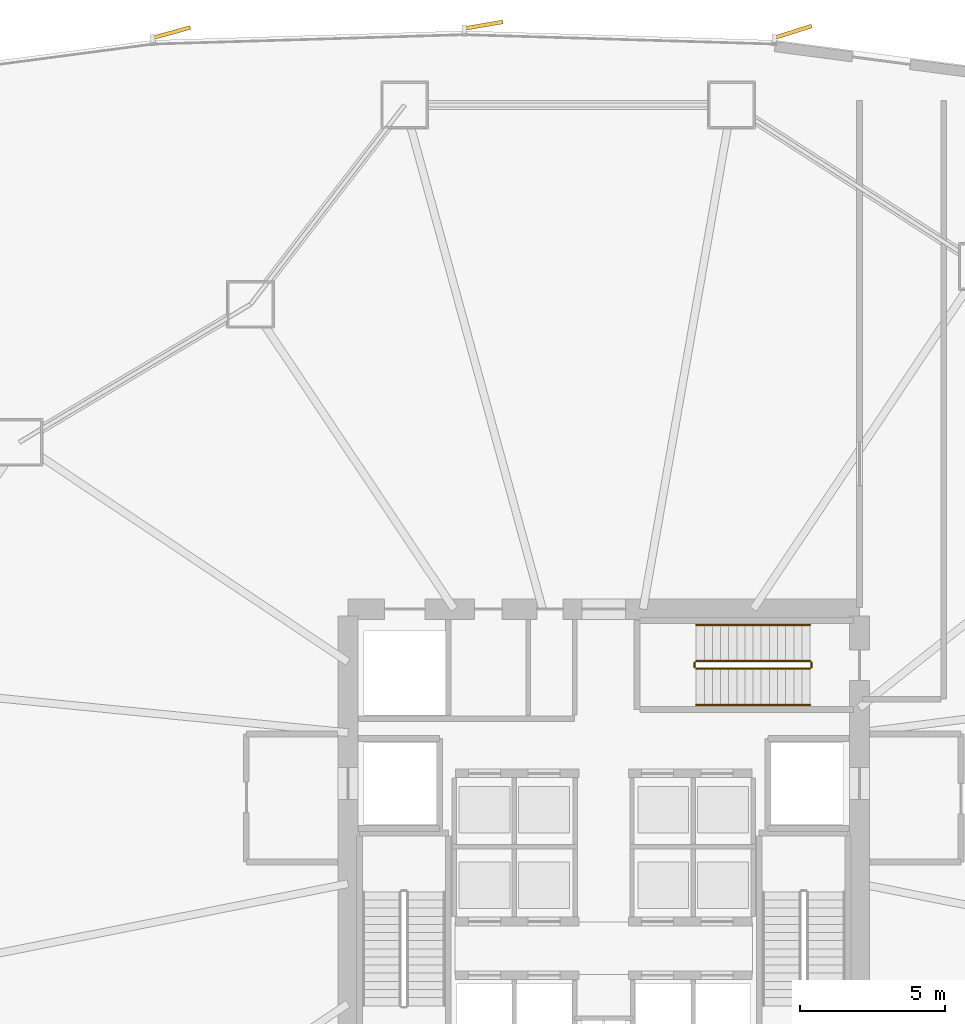
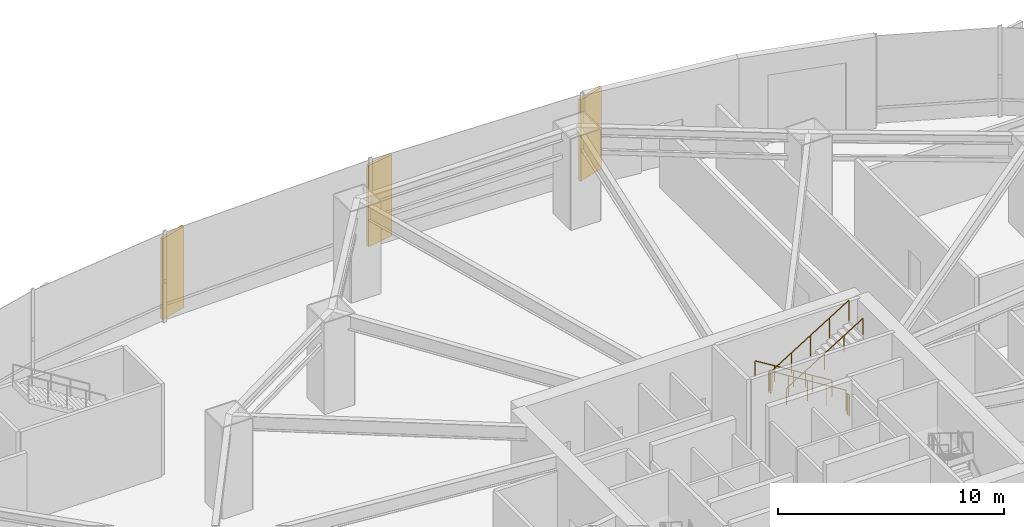
# One storey, part 33 of 35: 6 railings, 3 coverings.
"""IFC4 building model written with IfcOpenShell, lengths in metres."""

import ifcopenshell
import ifcopenshell.guid

model = None  # the IFC model being written
_history = None  # IfcOwnerHistory: only IFC2X3 demands one
_inside = {}  # id of a spatial element -> (the spatial element, [elements in it])
_under = {}  # id of a project, library or spatial element -> (it, [spatial elements below it])
_declared = {}  # id of a project -> (the project, [libraries it declares])
_typed = {}  # id of a type object -> (the type object, [elements of that type])
_made_of = {}  # id of a material, layer set ... -> (it, [elements and type objects made of it])


def new_model(schema):
    """Start an empty IFC model of exactly this schema.

    Asked for "IFC4X3", IfcOpenShell would pick the latest addendum, in which some entities
    have other attributes; the version numbers below select the first issue.
    IFC2X3 requires an IfcOwnerHistory on every rooted entity: one is made here for all.
    """
    global model, _history
    if schema == "IFC4X3":
        model = ifcopenshell.file(schema_version=(4, 3, 0, 0))
    else:
        model = ifcopenshell.file(schema=schema)
    _inside.clear()
    _under.clear()
    _declared.clear()
    _typed.clear()
    _made_of.clear()
    _history = None
    if model.schema == "IFC2X3":
        org = make("IfcOrganization", Name="unknown")
        user = make(
            "IfcPersonAndOrganization",
            ThePerson=make("IfcPerson", FamilyName="unknown"),
            TheOrganization=org,
        )
        app = make(
            "IfcApplication",
            ApplicationDeveloper=org,
            Version="unknown",
            ApplicationFullName="unknown",
            ApplicationIdentifier="unknown",
        )
        _history = make(
            "IfcOwnerHistory",
            OwningUser=user,
            OwningApplication=app,
            ChangeAction="ADDED",
            CreationDate=0,
        )
    return model


def make(cls, **values):
    """One entity of the class cls with the attributes given. An attribute that is None is left unset."""
    return model.create_entity(
        cls, **{name: value for name, value in values.items() if value is not None}
    )


def rooted(cls, **values):
    """An entity with a GlobalId (a new one), such as an element, a storey or a relation."""
    return make(cls, GlobalId=ifcopenshell.guid.new(), OwnerHistory=_history, **values)


def si_unit(unit_type, name, prefix=None):
    """IfcSIUnit, for example si_unit("LENGTHUNIT", "METRE", prefix="MILLI")."""
    return make("IfcSIUnit", UnitType=unit_type, Prefix=prefix, Name=name)


def assignment(units):
    """IfcUnitAssignment: the units of a project."""
    return None if units is None else make("IfcUnitAssignment", Units=units)


def point(xyz):
    """IfcCartesianPoint."""
    return None if xyz is None else make("IfcCartesianPoint", Coordinates=xyz)


def direction(xyz):
    """IfcDirection."""
    return None if xyz is None else make("IfcDirection", DirectionRatios=xyz)


def frame(location, z_axis=None, x_axis=None):
    """IfcAxis2Placement3D, a coordinate frame: its origin and axes. An axis left out is left unset."""
    return make(
        "IfcAxis2Placement3D",
        Location=point(location),
        Axis=direction(z_axis),
        RefDirection=direction(x_axis),
    )


def frame_2d(location, x_axis=None):
    """IfcAxis2Placement2D, a coordinate frame in the plane: its origin and x axis."""
    return make(
        "IfcAxis2Placement2D", Location=point(location), RefDirection=direction(x_axis)
    )


def origin():
    """The frame at (0, 0, 0) with its axes left unset."""
    return frame((0.0, 0.0, 0.0))


def origin_2d():
    """The frame at (0, 0) in the plane with its x axis left unset."""
    return frame_2d((0.0, 0.0))


def place(relative_to, where):
    """IfcLocalPlacement: puts the frame where relative to a parent placement (None: the world)."""
    return make(
        "IfcLocalPlacement", PlacementRelTo=relative_to, RelativePlacement=where
    )


def context(
    kind, dimensions, precision=None, world=None, true_north=None, identifier=None
):
    """IfcGeometricRepresentationContext, for example the 3D "Model" context."""
    return make(
        "IfcGeometricRepresentationContext",
        ContextIdentifier=identifier,
        ContextType=kind,
        CoordinateSpaceDimension=dimensions,
        Precision=precision,
        WorldCoordinateSystem=world,
        TrueNorth=true_north,
    )


def subcontext(parent, identifier, kind, view, scale=None):
    """IfcGeometricRepresentationSubContext, for example "Body" below "Model"."""
    return make(
        "IfcGeometricRepresentationSubContext",
        ContextIdentifier=identifier,
        ContextType=kind,
        ParentContext=parent,
        TargetScale=scale,
        TargetView=view,
    )


def project(units=None, contexts=None):
    """IfcProject with its units and contexts."""
    return rooted(
        "IfcProject",
        Name="project",
        RepresentationContexts=contexts,
        UnitsInContext=assignment(units),
    )


def spatial(cls, under=None, at=None, **own):
    """A site, building, storey or space (cls), placed at a placement, below another one or the project."""
    s = rooted(cls, ObjectPlacement=at, **own)
    if under is not None:
        _under.setdefault(under.id(), (under, []))[1].append(s)
    return s


def profile(cls, at=None, kind="AREA", **sizes):
    """A parametric profile (cls). Its sizes go by their IFC names, for example OverallWidth=200.0."""
    return make(cls, ProfileType=kind, Position=at, **sizes)


def rectangle(**sizes):
    """IfcRectangleProfileDef."""
    return profile("IfcRectangleProfileDef", **sizes)


def circle(**sizes):
    """IfcCircleProfileDef."""
    return profile("IfcCircleProfileDef", **sizes)


def extrude(swept, where, along, depth):
    """IfcExtrudedAreaSolid: the profile swept, set in the frame where, extruded along a direction by depth."""
    return make(
        "IfcExtrudedAreaSolid",
        SweptArea=swept,
        Position=where,
        ExtrudedDirection=direction(along),
        Depth=depth,
    )


def shape(context_of_items, identifier, shape_type, items):
    """IfcShapeRepresentation: the items that make up one representation, for example the "Body"."""
    return make(
        "IfcShapeRepresentation",
        ContextOfItems=context_of_items,
        RepresentationIdentifier=identifier,
        RepresentationType=shape_type,
        Items=items,
    )


def source(mapping_origin, context_of_items, identifier, shape_type, items):
    """IfcRepresentationMap: a shape defined once, which mapped items show again and again."""
    return make(
        "IfcRepresentationMap",
        MappingOrigin=mapping_origin,
        MappedRepresentation=shape(context_of_items, identifier, shape_type, items),
    )


def transform(
    local_origin,
    x_axis=None,
    y_axis=None,
    z_axis=None,
    scale=None,
    scale2=None,
    scale3=None,
    uniform=True,
):
    """IfcCartesianTransformationOperator3D, or its non-uniform kind. x_axis, y_axis, z_axis: its Axis1, 2, 3."""
    if uniform:
        return make(
            "IfcCartesianTransformationOperator3D",
            Axis1=direction(x_axis),
            Axis2=direction(y_axis),
            LocalOrigin=point(local_origin),
            Scale=scale,
            Axis3=direction(z_axis),
        )
    return make(
        "IfcCartesianTransformationOperator3DnonUniform",
        Axis1=direction(x_axis),
        Axis2=direction(y_axis),
        LocalOrigin=point(local_origin),
        Scale=scale,
        Axis3=direction(z_axis),
        Scale2=scale2,
        Scale3=scale3,
    )


def mapped(mapping_source, mapping_target):
    """IfcMappedItem: shows the shape of a source again, moved by a transform."""
    return make(
        "IfcMappedItem", MappingSource=mapping_source, MappingTarget=mapping_target
    )


def material(Name=None, Category=None):
    """IfcMaterial."""
    return make("IfcMaterial", Name=Name, Category=Category)


def layer(
    of_material, thickness, ventilated=None, Name=None, Category=None, Priority=None
):
    """IfcMaterialLayer: one layer of a wall or slab, of a material (None: an air gap)."""
    return make(
        "IfcMaterialLayer",
        Material=of_material,
        LayerThickness=thickness,
        IsVentilated=ventilated,
        Name=Name,
        Category=Category,
        Priority=Priority,
    )


def layer_set(layers, Name=None):
    """IfcMaterialLayerSet."""
    return make("IfcMaterialLayerSet", MaterialLayers=layers, LayerSetName=Name)


def made_of(thing, what):
    """Note that an element or type object is made of a material, layer set ...; save() writes the relation."""
    if what is not None:
        _made_of.setdefault(what.id(), (what, []))[1].append(thing)
    return thing


def type_object(cls, material=None, **own):
    """A type object (cls), such as IfcWallType, which elements share."""
    return made_of(rooted(cls, **own), material)


def element(
    cls,
    number,
    at=None,
    inside=None,
    cuts=None,
    type_object=None,
    material=None,
    context=None,
    identifier="Body",
    shape_type=None,
    held_by="IfcProductDefinitionShape",
    body=None,
    shapes=None,
    **own,
):
    """One element of the class cls, such as IfcWall. Its Tag is "e" and its number.

    at: its placement. inside: the storey or other place that contains it. cuts: it is an
    opening in that element (IfcRelVoidsElement). A single representation is given by context,
    identifier, shape_type and body (its items); several are given by shapes. held_by: the class
    of the entity that holds the representations. save() writes the other relations.
    """
    e = rooted(cls, Tag="e%d" % number, ObjectPlacement=at, **own)
    if body is not None:
        shapes = [shape(context, identifier, shape_type, body)]
    if shapes is not None:
        e.Representation = make(held_by, Representations=shapes)
    if inside is not None:
        _inside.setdefault(inside.id(), (inside, []))[1].append(e)
    if cuts is not None:
        rooted(
            "IfcRelVoidsElement", RelatingBuildingElement=cuts, RelatedOpeningElement=e
        )
    if type_object is not None:
        _typed.setdefault(type_object.id(), (type_object, []))[1].append(e)
    return made_of(e, material)


def aggregate(whole, parts):
    """IfcRelAggregates: a whole, such as a stair, and the parts it consists of."""
    return rooted("IfcRelAggregates", RelatingObject=whole, RelatedObjects=parts)


def save(model, path):
    """Write the relations noted so far, then the file.

    IfcRelAggregates (storeys below a building ...), IfcRelContainedInSpatialStructure (elements
    in a storey), IfcRelDefinesByType, IfcRelAssociatesMaterial and IfcRelDeclares: one each for
    every whole, place, type object, material and project.
    """
    for whole, parts in _under.values():
        aggregate(whole, parts)
    for where, things in _inside.values():
        rooted(
            "IfcRelContainedInSpatialStructure",
            RelatedElements=things,
            RelatingStructure=where,
        )
    for kind, things in _typed.values():
        rooted("IfcRelDefinesByType", RelatedObjects=things, RelatingType=kind)
    for what, things in _made_of.values():
        rooted("IfcRelAssociatesMaterial", RelatedObjects=things, RelatingMaterial=what)
    for by, libraries in _declared.values():
        rooted("IfcRelDeclares", RelatingContext=by, RelatedDefinitions=libraries)
    model.write(path)


model = new_model("IFC4")

# Units and contexts
model_context = context("Model", 3, precision=1e-05, world=origin(), true_north=direction((0.0, 1.0)))
body_context = subcontext(model_context, "Body", "Model", "MODEL_VIEW")
ifc_project = project(units=[si_unit("LENGTHUNIT", "METRE"), si_unit("AREAUNIT", "SQUARE_METRE"), si_unit("VOLUMEUNIT", "CUBIC_METRE"), si_unit("PLANEANGLEUNIT", "RADIAN"), si_unit("MASSUNIT", "GRAM", prefix="KILO"), si_unit("THERMODYNAMICTEMPERATUREUNIT", "KELVIN")], contexts=[model_context])

# Site, building, storey
site_placement = place(None, origin())
site = spatial("IfcSite", under=ifc_project, at=site_placement, CompositionType="ELEMENT")
building_placement = place(site_placement, origin())
building = spatial("IfcBuilding", under=site, at=building_placement, Name="Kethvar Cultural Tower", CompositionType="ELEMENT")
storey_placement = place(building_placement, origin())
storey = spatial("IfcBuildingStorey", under=building, at=storey_placement, Name="L00", CompositionType="ELEMENT", Elevation=0.0)

# Railings
ifc_material_1 = material(Name="Steel S355J2", Category="steel")
railing_type_1 = type_object("IfcRailingType", Name="RL-STAIR-GUARD", PredefinedType="BALUSTRADE", material=ifc_material_1)
railing_1_placement = place(storey_placement, frame((53.89990234375, 33.7099609375, 0.17333984375)))
element("IfcRailing", 1, at=railing_1_placement, inside=storey, type_object=railing_type_1, Name="L00 ST-03 stair guard 1", PredefinedType="BALUSTRADE", context=body_context, shape_type="SweptSolid", body=[
    extrude(circle(Radius=0.02392578125, at=origin_2d()), frame((0.0, 0.0, 1.09619140625), z_axis=(-0.850251603719, 0.0, 0.526376491091), x_axis=(0.0, -1.0, 0.0)), (0.0, 0.0, 1.0), 4.6103515625),
    extrude(circle(Radius=0.02099609375, at=origin_2d()), origin(), (0.0, 0.0, 1.0), 1.072021484375),
    extrude(circle(Radius=0.02099609375, at=origin_2d()), frame((-0.97998046875, 0.0, 0.606689453125)), (0.0, 0.0, 1.0), 1.072021484375),
    extrude(circle(Radius=0.02099609375, at=origin_2d()), frame((-1.9599609375, 0.0, 1.21337890625)), (0.0, 0.0, 1.0), 1.072021484375),
    extrude(circle(Radius=0.02099609375, at=origin_2d()), frame((-2.93994140625, 0.0, 1.820068359375)), (0.0, 0.0, 1.0), 1.072021484375),
    extrude(circle(Radius=0.02099609375, at=origin_2d()), frame((-3.919921875, 0.0, 2.4267578125)), (0.0, 0.0, 1.0), 1.072021484375),
])
railing_2_placement = place(storey_placement, frame((49.929931640625, 33.659912109375, 2.60009765625)))
element("IfcRailing", 2, at=railing_2_placement, inside=storey, type_object=railing_type_1, Name="L00 ST-03 stair guard 2", PredefinedType="BALUSTRADE", context=body_context, shape_type="SweptSolid", body=[
    extrude(circle(Radius=0.02392578125, at=origin_2d()), frame((0.0, 0.0, 1.09619140625), z_axis=(0.0, -1.0, 0.0), x_axis=(1.0, 0.0, 0.0)), (0.0, 0.0, 1.0), 0.159912109375),
    extrude(circle(Radius=0.02099609375, at=origin_2d()), origin(), (0.0, 0.0, 1.0), 1.072021484375),
    extrude(circle(Radius=0.02099609375, at=origin_2d()), frame((0.0, -0.159912109375, 0.0)), (0.0, 0.0, 1.0), 1.072021484375),
])
railing_3_placement = place(storey_placement, frame((49.97998046875, 33.449951171875, 2.7734375)))
element("IfcRailing", 3, at=railing_3_placement, inside=storey, type_object=railing_type_1, Name="L00 ST-03 stair guard 3", PredefinedType="BALUSTRADE", context=body_context, shape_type="SweptSolid", body=[
    extrude(circle(Radius=0.02392578125, at=origin_2d()), frame((0.0, 0.0, 1.09619140625), z_axis=(0.850275303828, 0.0, 0.526338206574), x_axis=(0.0, 1.0, 0.0)), (0.0, 0.0, 1.0), 4.610107421875),
    extrude(circle(Radius=0.02099609375, at=origin_2d()), origin(), (0.0, 0.0, 1.0), 1.072021484375),
    extrude(circle(Radius=0.02099609375, at=origin_2d()), frame((0.97998046875, 0.0, 0.606689453125)), (0.0, 0.0, 1.0), 1.072021484375),
    extrude(circle(Radius=0.02099609375, at=origin_2d()), frame((1.9599609375, 0.0, 1.21337890625)), (0.0, 0.0, 1.0), 1.072021484375),
    extrude(circle(Radius=0.02099609375, at=origin_2d()), frame((2.93994140625, 0.0, 1.81982421875)), (0.0, 0.0, 1.0), 1.072021484375),
    extrude(circle(Radius=0.02099609375, at=origin_2d()), frame((3.919921875, 0.0, 2.426513671875)), (0.0, 0.0, 1.0), 1.072021484375),
])
railing_4_placement = place(storey_placement, frame((53.949951171875, 33.659912109375, 0.0)))
element("IfcRailing", 4, at=railing_4_placement, inside=storey, type_object=railing_type_1, Name="L00 ST-03 stair guard 4", PredefinedType="BALUSTRADE", context=body_context, shape_type="SweptSolid", body=[
    extrude(circle(Radius=0.02392578125, at=origin_2d()), frame((0.0, 0.0, 1.09619140625), z_axis=(0.0, -1.0, 0.0), x_axis=(1.0, 0.0, 0.0)), (0.0, 0.0, 1.0), 0.159912109375),
    extrude(circle(Radius=0.02099609375, at=origin_2d()), origin(), (0.0, 0.0, 1.0), 1.072021484375),
    extrude(circle(Radius=0.02099609375, at=origin_2d()), frame((0.0, -0.159912109375, 0.0)), (0.0, 0.0, 1.0), 1.072021484375),
])
railing_type_2 = type_object("IfcRailingType", Name="RL-STAIR-HANDRAIL", PredefinedType="HANDRAIL", material=ifc_material_1)
railing_5_placement = place(storey_placement, frame((53.89990234375, 34.9599609375, 0.17333984375)))
element("IfcRailing", 5, at=railing_5_placement, inside=storey, type_object=railing_type_2, Name="L00 ST-03 stair handrail 1", PredefinedType="HANDRAIL", context=body_context, shape_type="SweptSolid", body=[
    extrude(circle(Radius=0.02392578125, at=origin_2d()), frame((0.0, 0.0, 0.8759765625), z_axis=(-0.850251603719, 0.0, 0.526376491091), x_axis=(0.0, -1.0, 0.0)), (0.0, 0.0, 1.0), 4.6103515625),
    extrude(circle(Radius=0.02099609375, at=origin_2d()), origin(), (0.0, 0.0, 1.0), 0.851806640625),
    extrude(circle(Radius=0.02099609375, at=origin_2d()), frame((-0.97998046875, 0.0, 0.606689453125)), (0.0, 0.0, 1.0), 0.851806640625),
    extrude(circle(Radius=0.02099609375, at=origin_2d()), frame((-1.9599609375, 0.0, 1.21337890625)), (0.0, 0.0, 1.0), 0.851806640625),
    extrude(circle(Radius=0.02099609375, at=origin_2d()), frame((-2.93994140625, 0.0, 1.820068359375)), (0.0, 0.0, 1.0), 0.851806640625),
    extrude(circle(Radius=0.02099609375, at=origin_2d()), frame((-3.919921875, 0.0, 2.4267578125)), (0.0, 0.0, 1.0), 0.851806640625),
])
railing_6_placement = place(storey_placement, frame((49.97998046875, 32.199951171875, 2.7734375)))
element("IfcRailing", 6, at=railing_6_placement, inside=storey, type_object=railing_type_2, Name="L00 ST-03 stair handrail 2", PredefinedType="HANDRAIL", context=body_context, shape_type="SweptSolid", body=[
    extrude(circle(Radius=0.02392578125, at=origin_2d()), frame((0.0, 0.0, 0.8759765625), z_axis=(0.850275303828, 0.0, 0.526338206574), x_axis=(0.0, 1.0, 0.0)), (0.0, 0.0, 1.0), 4.610107421875),
    extrude(circle(Radius=0.02099609375, at=origin_2d()), origin(), (0.0, 0.0, 1.0), 0.851806640625),
    extrude(circle(Radius=0.02099609375, at=origin_2d()), frame((0.97998046875, 0.0, 0.606689453125)), (0.0, 0.0, 1.0), 0.851806640625),
    extrude(circle(Radius=0.02099609375, at=origin_2d()), frame((1.9599609375, 0.0, 1.21337890625)), (0.0, 0.0, 1.0), 0.851806640625),
    extrude(circle(Radius=0.02099609375, at=origin_2d()), frame((2.93994140625, 0.0, 1.81982421875)), (0.0, 0.0, 1.0), 0.851806640625),
    extrude(circle(Radius=0.02099609375, at=origin_2d()), frame((3.919921875, 0.0, 2.426513671875)), (0.0, 0.0, 1.0), 0.851806640625),
])

# Coverings
ifc_material_2 = material(Name="Extruded Architectural Terracotta", Category="masonry")
ifc_layer = layer(ifc_material_2, 0.135009765625, Name="Extruded Architectural Terracotta", Category="masonry")
ifc_layer_set = layer_set([ifc_layer], Name="Extruded Architectural Terracotta (135 mm)")
covering_type = type_object("IfcCoveringType", Name="Terracotta Facade Fin FIN-04", PredefinedType="CLADDING", material=ifc_layer_set)
shared_shape = source(origin(), body_context, "Body", "SweptSolid", [
    extrude(rectangle(XDim=1.35009765625, YDim=0.135009765625, at=origin_2d()), origin(), (0.0, 0.0, 1.0), 4.39990234375),
])
for number, where, z_axis, x_axis, name in (
    (7, (53.312744140625, 55.36328125, 0.02001953125), (0.0, 0.0, 1.0), (0.952820541996, 0.303534206887, 0.0), "L00 Vertical Terracotta Fin 2.1"),
    (8, (42.662841796875, 55.593994140625, 0.02001953125), (0.0, 0.0, 1.0), (0.985615113142, 0.169005469575, 0.0), "L00 Vertical Terracotta Fin 2.2"),
    (9, (31.924072265625, 55.336669921875, 0.02001953125), (0.0, 0.0, 1.0), (0.963583796636, 0.267406557249, 0.0), "L00 Vertical Terracotta Fin 2.3"),
):
    element("IfcCovering", number, at=place(storey_placement, frame(where, z_axis=z_axis, x_axis=x_axis)), inside=storey, type_object=covering_type, Name=name, PredefinedType="CLADDING", context=body_context, shape_type="MappedRepresentation", body=[
        mapped(shared_shape, transform((0.0, 0.0, 0.0), scale=1.0)),
    ])

save(model, "model.ifc")
